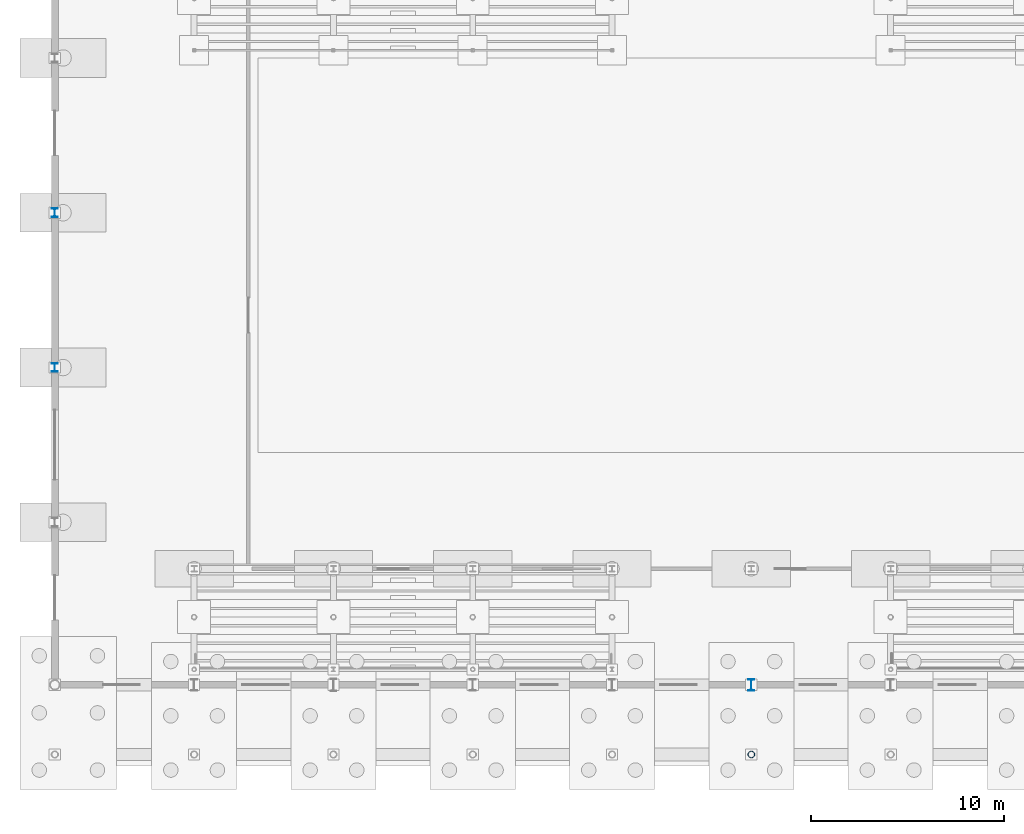
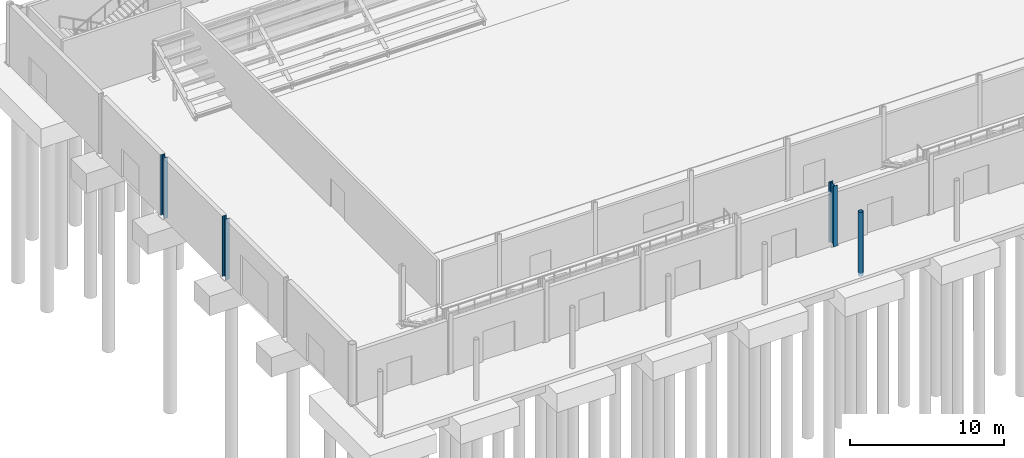
# One storey, part 6 of 101: 4 columns.
"""IFC4 building model written with IfcOpenShell, lengths in metres."""

from ifc_helpers import new_model, si_unit, derived_unit, direction, frame, origin, origin_2d, place, context, subcontext, project, spatial, hollow_circle, i_section, extrude, material, material_profile, profile_set, type_object, element, save


model = new_model("IFC4")

# Units and contexts
model_context = context("Model", 3, precision=1e-05, world=origin(), true_north=direction((0.0, 1.0)))
body_context = subcontext(model_context, "Body", "Model", "MODEL_VIEW")
ifc_project = project(units=[si_unit("LENGTHUNIT", "METRE"), si_unit("AREAUNIT", "SQUARE_METRE"), si_unit("VOLUMEUNIT", "CUBIC_METRE"), si_unit("PLANEANGLEUNIT", "RADIAN"), si_unit("MASSUNIT", "GRAM", prefix="KILO"), derived_unit("THERMALTRANSMITTANCEUNIT", [(si_unit("POWERUNIT", "WATT"), 1), (si_unit("LENGTHUNIT", "METRE"), -2), (si_unit("THERMODYNAMICTEMPERATUREUNIT", "KELVIN"), -1)])], contexts=[model_context])

# Site, building, storey
site_placement = place(None, origin())
site = spatial("IfcSite", under=ifc_project, at=site_placement, CompositionType="ELEMENT")
building_placement = place(site_placement, origin())
building = spatial("IfcBuilding", under=site, at=building_placement, Name="Keldorne Ridge Multi-Sports Centre", CompositionType="ELEMENT")
storey_placement = place(building_placement, origin())
storey = spatial("IfcBuildingStorey", under=building, at=storey_placement, Name="L00", CompositionType="ELEMENT", Elevation=0.0)

# Columns
ifc_material = material(Name="Steel S355", Category="steel")
ifc_material_profile_1 = material_profile(ifc_material, i_section(OverallWidth=0.300048828125, OverallDepth=0.60009765625, WebThickness=0.015380859375, FlangeThickness=0.030029296875, FilletRadius=0.027099609375, at=origin_2d()), Name="HEB 600")
ifc_profile_set_1 = profile_set([ifc_material_profile_1], Name="Steel S355")
column_type_1 = type_object("IfcColumnType", Name="COL-C-01", PredefinedType="COLUMN", material=ifc_profile_set_1)
column_1_placement = place(storey_placement, frame((42.0, 9.60009765625, 0.0), z_axis=(0.0, 0.0, 1.0), x_axis=(1.0, 0.0, 0.0)))
element("IfcColumn", 1, at=column_1_placement, inside=storey, type_object=column_type_1, Name="Structural column V1-HALL-S-06 on L00", PredefinedType="COLUMN", context=body_context, shape_type="SweptSolid", body=[
    extrude(i_section(OverallWidth=0.300048828125, OverallDepth=0.60009765625, WebThickness=0.015380859375, FlangeThickness=0.030029296875, FilletRadius=0.027099609375, at=origin_2d()), origin(), (0.0, 0.0, 1.0), 4.800048828125),
])
ifc_material_profile_2 = material_profile(ifc_material, hollow_circle(Radius=0.177734375, WallThickness=0.01611328125, at=origin_2d()), Name="CHS 355.6x16")
ifc_profile_set_2 = profile_set([ifc_material_profile_2], Name="Steel S355")
column_type_2 = type_object("IfcColumnType", Name="COL-C-03", PredefinedType="PILASTER", material=ifc_profile_set_2)
column_2_placement = place(storey_placement, frame((42.0, 6.0, -0.25), z_axis=(0.0, 0.0, 1.0), x_axis=(1.0, 0.0, 0.0)))
element("IfcColumn", 2, at=column_2_placement, inside=storey, type_object=column_type_2, Name="Structural column V1-COLN-06 on L00", PredefinedType="PILASTER", context=body_context, shape_type="SweptSolid", body=[
    extrude(hollow_circle(Radius=0.177734375, WallThickness=0.01611328125, at=origin_2d()), origin(), (0.0, 0.0, 1.0), 5.050048828125),
])
ifc_material_profile_3 = material_profile(ifc_material, i_section(OverallWidth=0.300048828125, OverallDepth=0.449951171875, WebThickness=0.013916015625, FlangeThickness=0.02587890625, FilletRadius=0.027099609375, at=origin_2d()), Name="HEB 450")
ifc_profile_set_3 = profile_set([ifc_material_profile_3], Name="Steel S355")
column_type_3 = type_object("IfcColumnType", Name="COL-C-06", PredefinedType="COLUMN", material=ifc_profile_set_3)
for number, where, z_axis, x_axis, name in (
    (3, (6.0, 26.0, 0.0), (0.0, 0.0, 1.0), (1.0, 0.0, 0.0), "Structural column V1-GABLE-W-02 on L00"),
    (4, (6.0, 34.0, 0.0), (0.0, 0.0, 1.0), (1.0, 0.0, 0.0), "Structural column V1-GABLE-W-03 on L00"),
):
    element("IfcColumn", number, at=place(storey_placement, frame(where, z_axis=z_axis, x_axis=x_axis)), inside=storey, type_object=column_type_3, Name=name, PredefinedType="COLUMN", context=body_context, shape_type="SweptSolid", body=[
        extrude(i_section(OverallWidth=0.300048828125, OverallDepth=0.449951171875, WebThickness=0.013916015625, FlangeThickness=0.02587890625, FilletRadius=0.027099609375, at=origin_2d()), origin(), (0.0, 0.0, 1.0), 4.800048828125),
    ])

save(model, "model.ifc")
